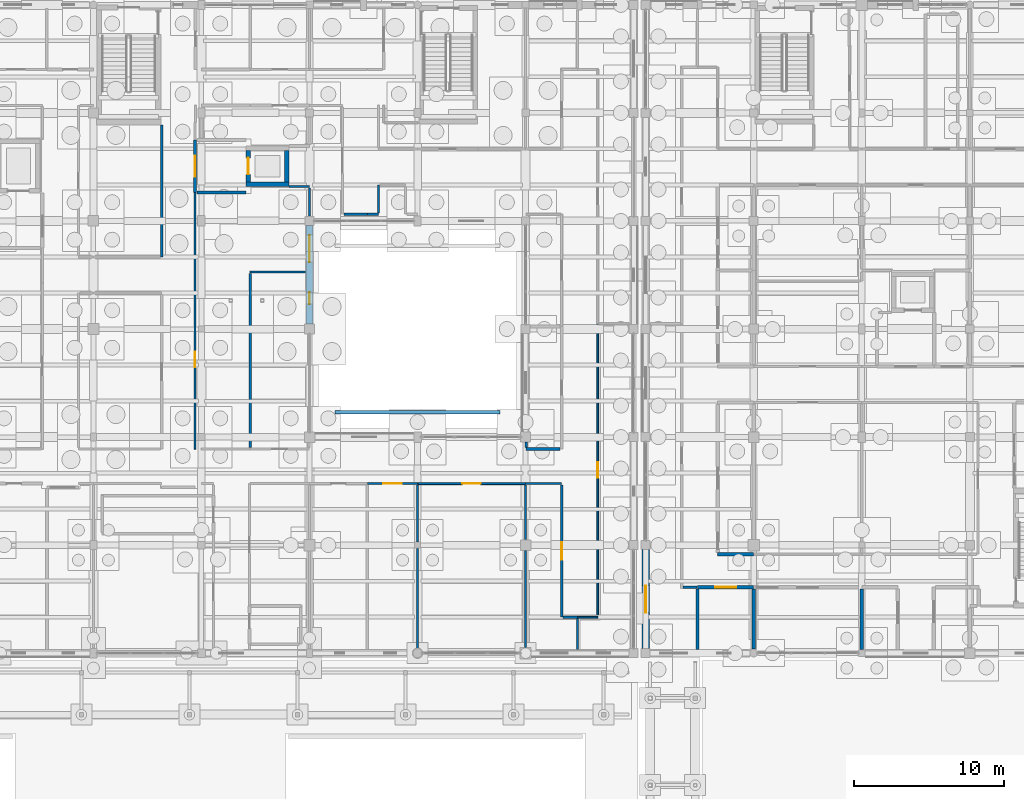
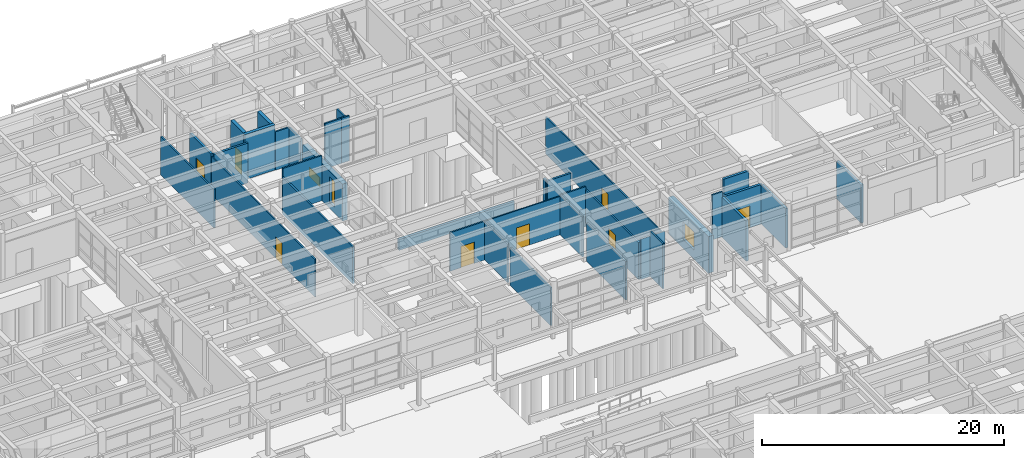
# One storey, part 112 of 143: 37 walls, 8 doors, 3 windows, 11 openings.
"""IFC4 building model written with IfcOpenShell, lengths in metres."""

from ifc_helpers import new_model, si_unit, direction, frame, frame_2d, origin, place, context, subcontext, project, spatial, rectangle, extrude, material, layer, layer_set, type_object, element, fill, save


model = new_model("IFC4")

# Units and contexts
model_context = context("Model", 3, precision=1e-05, world=origin(), true_north=direction((0.0, 1.0)))
body_context = subcontext(model_context, "Body", "Model", "MODEL_VIEW")
ifc_project = project(units=[si_unit("LENGTHUNIT", "METRE"), si_unit("AREAUNIT", "SQUARE_METRE"), si_unit("VOLUMEUNIT", "CUBIC_METRE"), si_unit("PLANEANGLEUNIT", "RADIAN"), si_unit("MASSUNIT", "GRAM", prefix="KILO")], contexts=[model_context])

# Site, building, storey
site_placement = place(None, origin())
site = spatial("IfcSite", under=ifc_project, at=site_placement, CompositionType="ELEMENT")
building_placement = place(site_placement, origin())
building = spatial("IfcBuilding", under=site, at=building_placement, Name="Steenspoor Specialist Clinic", CompositionType="ELEMENT")
storey_placement = place(building_placement, origin())
storey = spatial("IfcBuildingStorey", under=building, at=storey_placement, Name="L00", CompositionType="ELEMENT", Elevation=0.0)

# Wall, openings, windows
ifc_material_1 = material(Name="Volcanic basalt ashlar masonry", Category="masonry")
ifc_layer_1 = layer(ifc_material_1, 0.47998046875)
ifc_layer_set_1 = layer_set([ifc_layer_1], Name="Volcanic basalt ashlar masonry")
wall_type_1 = type_object("IfcWallType", Name="W-BASALT-480", PredefinedType="SOLIDWALL", material=ifc_layer_set_1)
wall_1_placement = place(storey_placement, frame((95.60009765625, 93.64990234375, 0.0), z_axis=(0.0, 0.0, 1.0), x_axis=(0.0, -1.0, 0.0)))
wall_1 = element("IfcWall", 1, at=wall_1_placement, inside=storey, type_object=wall_type_1, Name="Exterior Brick Wall EW-V4-L00-0107", PredefinedType="SOLIDWALL", context=body_context, shape_type="SweptSolid", body=[
    extrude(rectangle(XDim=6.574951171875, YDim=0.47998046875, at=frame_2d((3.28759765625, 0.0))), origin(), (0.0, 0.0, 1.0), 3.72998046875),
])
opening_1_placement = place(wall_1_placement, frame((0.639892578125, 0.0, 0.89990234375)))
opening_1 = element("IfcOpeningElement", 2, at=opening_1_placement, cuts=wall_1, Name="Opening WN-22", PredefinedType="OPENING", context=body_context, shape_type="SweptSolid", body=[
    extrude(rectangle(XDim=1.800048828125, YDim=0.89990234375, at=frame_2d((0.89990234375, 0.449951171875))), frame((0.0, 0.25, 0.0), z_axis=(0.0, -1.0, 0.0), x_axis=(1.0, 0.0, 0.0)), (0.0, 0.0, 1.0), 0.5),
])
opening_2_placement = place(wall_1_placement, frame((4.447509765625, 0.0, 0.60009765625)))
opening_2 = element("IfcOpeningElement", 3, at=opening_2_placement, cuts=wall_1, Name="Opening WN-24", PredefinedType="OPENING", context=body_context, shape_type="SweptSolid", body=[
    extrude(rectangle(XDim=0.800048828125, YDim=2.60009765625, at=frame_2d((0.39990234375, 1.300048828125))), frame((0.0, 0.25, 0.0), z_axis=(0.0, -1.0, 0.0), x_axis=(1.0, 0.0, 0.0)), (0.0, 0.0, 1.0), 0.5),
])
ifc_material_2 = material(Name="Thermally broken aluminium and low-emissivity glass", Category="aluminium")
window_type_1 = type_object("IfcWindowType", Name="WN-EXT-080X260", PartitioningType="SINGLE_PANEL", PredefinedType="WINDOW", material=ifc_material_2)
window_1_placement = place(opening_2_placement, origin())
window_1 = element("IfcWindow", 4, at=window_1_placement, inside=storey, type_object=window_type_1, Name="Window 0128", OverallHeight=2.60009765625, OverallWidth=0.800048828125, PartitioningType="SINGLE_PANEL", PredefinedType="WINDOW", context=body_context, shape_type="SweptSolid", body=[
    extrude(rectangle(XDim=0.800048828125, YDim=2.60009765625, at=frame_2d((0.39990234375, 1.300048828125))), frame((0.0, 0.030029296875, 0.0), z_axis=(0.0, -1.0, 0.0), x_axis=(1.0, 0.0, 0.0)), (0.0, 0.0, 1.0), 0.06005859375),
])
fill(opening_2, window_1)
window_type_2 = type_object("IfcWindowType", Name="WN-EXT-180X090", PartitioningType="SINGLE_PANEL", PredefinedType="WINDOW", material=ifc_material_2)
window_2_placement = place(opening_1_placement, origin())
window_2 = element("IfcWindow", 5, at=window_2_placement, inside=storey, type_object=window_type_2, Name="Window 0127", OverallHeight=0.89990234375, OverallWidth=1.800048828125, PartitioningType="SINGLE_PANEL", PredefinedType="WINDOW", context=body_context, shape_type="SweptSolid", body=[
    extrude(rectangle(XDim=1.800048828125, YDim=0.89990234375, at=frame_2d((0.89990234375, 0.449951171875))), frame((0.0, 0.030029296875, 0.0), z_axis=(0.0, -1.0, 0.0), x_axis=(1.0, 0.0, 0.0)), (0.0, 0.0, 1.0), 0.06005859375),
])
fill(opening_1, window_2)

# Wall, opening, window
wall_2_placement = place(storey_placement, frame((118.0, 65.449951171875, 0.0), z_axis=(0.0, 0.0, 1.0), x_axis=(0.0, 1.0, 0.0)))
wall_2 = element("IfcWall", 6, at=wall_2_placement, inside=storey, type_object=wall_type_1, Name="Exterior Brick Wall EW-V6-L00-0299", PredefinedType="SOLIDWALL", context=body_context, shape_type="SweptSolid", body=[
    extrude(rectangle(XDim=6.60009765625, YDim=0.47998046875, at=frame_2d((3.300048828125, 0.0))), origin(), (0.0, 0.0, 1.0), 3.699951171875),
])
opening_3_placement = place(wall_2_placement, frame((2.39990234375, 0.0, 0.89990234375)))
opening_3 = element("IfcOpeningElement", 7, at=opening_3_placement, cuts=wall_2, Name="Opening WN-08", PredefinedType="OPENING", context=body_context, shape_type="SweptSolid", body=[
    extrude(rectangle(XDim=1.800048828125, YDim=1.800048828125, at=frame_2d((0.89990234375, 0.89990234375))), frame((0.0, 0.25, 0.0), z_axis=(0.0, -1.0, 0.0), x_axis=(1.0, 0.0, 0.0)), (0.0, 0.0, 1.0), 0.5),
])
window_type_3 = type_object("IfcWindowType", Name="WN-EXT-180X180", PartitioningType="SINGLE_PANEL", PredefinedType="WINDOW", material=ifc_material_2)
window_3_placement = place(opening_3_placement, origin())
window_3 = element("IfcWindow", 8, at=window_3_placement, inside=storey, type_object=window_type_3, Name="Window 0320", OverallHeight=1.800048828125, OverallWidth=1.800048828125, PartitioningType="SINGLE_PANEL", PredefinedType="WINDOW", context=body_context, shape_type="SweptSolid", body=[
    extrude(rectangle(XDim=1.800048828125, YDim=1.800048828125, at=frame_2d((0.89990234375, 0.89990234375))), frame((0.0, 0.030029296875, 0.0), z_axis=(0.0, -1.0, 0.0), x_axis=(1.0, 0.0, 0.0)), (0.0, 0.0, 1.0), 0.06005859375),
])
fill(opening_3, window_3)

# Wall, opening, door
ifc_material_3 = material(Name="Gypsum acoustic clinical partition", Category="gypsum")
ifc_layer_2 = layer(ifc_material_3, 0.14990234375)
ifc_layer_set_2 = layer_set([ifc_layer_2], Name="Gypsum acoustic clinical partition")
wall_type_2 = type_object("IfcWallType", Name="W-CLIN-150", PredefinedType="PARTITIONING", material=ifc_layer_set_2)
wall_3_placement = place(storey_placement, frame((99.449951171875, 76.449951171875, 0.0), z_axis=(0.0, 0.0, 1.0), x_axis=(1.0, 0.0, 0.0)))
wall_3 = element("IfcWall", 9, at=wall_3_placement, inside=storey, type_object=wall_type_2, Name="Interior Partition IW-V4-L00-0227", PredefinedType="PARTITIONING", context=body_context, shape_type="SweptSolid", body=[
    extrude(rectangle(XDim=3.35009765625, YDim=0.14990234375, at=frame_2d((1.675048828125, 0.0))), origin(), (0.0, 0.0, 1.0), 3.885009765625),
])
opening_4_placement = place(wall_3_placement, frame((1.050048828125, 0.0, 0.0)))
opening_4 = element("IfcOpeningElement", 10, at=opening_4_placement, cuts=wall_3, Name="Opening D0157", PredefinedType="OPENING", context=body_context, shape_type="SweptSolid", body=[
    extrude(rectangle(XDim=1.25, YDim=2.14990234375, at=frame_2d((0.625, 1.074951171875))), frame((0.0, 0.0849609375, 0.0), z_axis=(0.0, -1.0, 0.0), x_axis=(1.0, 0.0, 0.0)), (0.0, 0.0, 1.0), 0.169921875),
])
ifc_material_4 = material(Name="Hygienic HPL clinical timber door", Category="wood")
door_type_1 = type_object("IfcDoorType", Name="DT-EXAM-125X215", OperationType="NOTDEFINED", PredefinedType="DOOR", material=ifc_material_4)
door_1_placement = place(opening_4_placement, origin())
door_1 = element("IfcDoor", 11, at=door_1_placement, inside=storey, type_object=door_type_1, Name="Clinical Door D0157", OperationType="SINGLE_SWING_RIGHT", OverallHeight=2.14990234375, OverallWidth=1.25, PredefinedType="DOOR", context=body_context, shape_type="SweptSolid", body=[
    extrude(rectangle(XDim=1.25, YDim=2.14990234375, at=frame_2d((0.625, 1.074951171875))), frame((0.0, 0.02490234375, 0.0), z_axis=(0.0, -1.0, 0.0), x_axis=(1.0, 0.0, 0.0)), (0.0, 0.0, 1.0), 0.050048828125),
])
fill(opening_4, door_1)

# Wall
wall_4_placement = place(storey_placement, frame((110.0, 76.449951171875, 0.0), z_axis=(0.0, 0.0, 1.0), x_axis=(1.0, 0.0, 0.0)))
element("IfcWall", 12, at=wall_4_placement, inside=storey, type_object=wall_type_2, Name="Interior Partition IW-V4-L00-0228", PredefinedType="PARTITIONING", context=body_context, shape_type="SweptSolid", body=[
    extrude(rectangle(XDim=2.39990234375, YDim=0.14990234375, at=frame_2d((1.199951171875, 0.0))), origin(), (0.0, 0.0, 1.0), 4.014892578125),
])

# Wall, opening, door
wall_5_placement = place(storey_placement, frame((112.39990234375, 67.550048828125, 0.0), z_axis=(0.0, 0.0, 1.0), x_axis=(0.0, 1.0, 0.0)))
wall_5 = element("IfcWall", 13, at=wall_5_placement, inside=storey, type_object=wall_type_2, Name="Interior Partition IW-V4-L00-0229", PredefinedType="PARTITIONING", context=body_context, shape_type="SweptSolid", body=[
    extrude(rectangle(XDim=8.81005859375, YDim=0.14990234375, at=frame_2d((4.405029296875, 0.0))), origin(), (0.0, 0.0, 1.0), 3.735107421875),
])
opening_5_placement = place(wall_5_placement, frame((3.830078125, 0.0, 0.0)))
opening_5 = element("IfcOpeningElement", 14, at=opening_5_placement, cuts=wall_5, Name="Opening D0159", PredefinedType="OPENING", context=body_context, shape_type="SweptSolid", body=[
    extrude(rectangle(XDim=1.14990234375, YDim=2.14990234375, at=frame_2d((0.574951171875, 1.074951171875))), frame((0.0, 0.0849609375, 0.0), z_axis=(0.0, -1.0, 0.0), x_axis=(1.0, 0.0, 0.0)), (0.0, 0.0, 1.0), 0.169921875),
])
ifc_material_5 = material(Name="Solid-core hardwood clinical door", Category="wood")
door_type_2 = type_object("IfcDoorType", Name="DT-CONS-115X215", OperationType="NOTDEFINED", PredefinedType="DOOR", material=ifc_material_5)
door_2_placement = place(opening_5_placement, origin())
door_2 = element("IfcDoor", 15, at=door_2_placement, inside=storey, type_object=door_type_2, Name="Clinical Door D0159", OperationType="SINGLE_SWING_RIGHT", OverallHeight=2.14990234375, OverallWidth=1.14990234375, PredefinedType="DOOR", context=body_context, shape_type="SweptSolid", body=[
    extrude(rectangle(XDim=1.14990234375, YDim=2.14990234375, at=frame_2d((0.574951171875, 1.074951171875))), frame((0.0, 0.02490234375, 0.0), z_axis=(0.0, -1.0, 0.0), x_axis=(1.0, 0.0, 0.0)), (0.0, 0.0, 1.0), 0.050048828125),
])
fill(opening_5, door_2)

# Walls
wall_6_placement = place(storey_placement, frame((112.489990234375, 67.550048828125, 0.0), z_axis=(0.0, 0.0, 1.0), x_axis=(1.0, 0.0, 0.0)))
element("IfcWall", 16, at=wall_6_placement, inside=storey, type_object=wall_type_2, Name="Interior Partition IW-V4-L00-0230", PredefinedType="PARTITIONING", context=body_context, shape_type="SweptSolid", body=[
    extrude(rectangle(XDim=0.9599609375, YDim=0.14990234375, at=frame_2d((0.47998046875, 0.0))), origin(), (0.0, 0.0, 1.0), 4.074951171875),
])
wall_7_placement = place(storey_placement, frame((85.75, 91.550048828125, 0.0), z_axis=(0.0, 0.0, 1.0), x_axis=(0.0, 1.0, 0.0)))
element("IfcWall", 17, at=wall_7_placement, inside=storey, type_object=wall_type_2, Name="Interior Partition IW-V4-L00-0250", PredefinedType="PARTITIONING", context=body_context, shape_type="SweptSolid", body=[
    extrude(rectangle(XDim=8.800048828125, YDim=0.14990234375, at=frame_2d((4.39990234375, 0.0))), origin(), (0.0, 0.0, 1.0), 3.885009765625),
])
wall_8_placement = place(storey_placement, frame((97.889892578125, 94.39990234375, 0.0), z_axis=(0.0, 0.0, 1.0), x_axis=(1.0, 0.0, 0.0)))
element("IfcWall", 18, at=wall_8_placement, inside=storey, type_object=wall_type_2, Name="Interior Partition IW-V4-L00-0257", PredefinedType="PARTITIONING", context=body_context, shape_type="SweptSolid", body=[
    extrude(rectangle(XDim=1.56005859375, YDim=0.14990234375, at=frame_2d((0.780029296875, 0.0))), origin(), (0.0, 0.0, 1.0), 4.550048828125),
])
wall_9_placement = place(storey_placement, frame((99.465087890625, 94.39990234375, 0.0), z_axis=(0.0, 0.0, 1.0), x_axis=(1.0, 0.0, 0.0)))
element("IfcWall", 19, at=wall_9_placement, inside=storey, type_object=wall_type_2, Name="Interior Partition IW-V4-L00-0258", PredefinedType="PARTITIONING", context=body_context, shape_type="SweptSolid", body=[
    extrude(rectangle(XDim=0.73486328125, YDim=0.14990234375, at=frame_2d((0.367431640625, 0.0))), origin(), (0.0, 0.0, 1.0), 4.550048828125),
])
wall_10_placement = place(storey_placement, frame((100.199951171875, 94.489990234375, 0.0), z_axis=(0.0, 0.0, 1.0), x_axis=(0.0, 1.0, 0.0)))
element("IfcWall", 20, at=wall_10_placement, inside=storey, type_object=wall_type_2, Name="Interior Partition IW-V4-L00-0259", PredefinedType="PARTITIONING", context=body_context, shape_type="SweptSolid", body=[
    extrude(rectangle(XDim=1.860107421875, YDim=0.14990234375, at=frame_2d((0.93017578125, 0.0))), origin(), (0.0, 0.0, 1.0), 4.074951171875),
])
wall_11_placement = place(storey_placement, frame((120.489990234375, 69.550048828125, 0.0), z_axis=(0.0, 0.0, 1.0), x_axis=(1.0, 0.0, 0.0)))
element("IfcWall", 21, at=wall_11_placement, inside=storey, type_object=wall_type_2, Name="Interior Partition IW-V6-L00-0277", PredefinedType="PARTITIONING", context=body_context, shape_type="SweptSolid", body=[
    extrude(rectangle(XDim=0.945068359375, YDim=0.14990234375, at=frame_2d((0.47265625, 0.0))), origin(), (0.0, 0.0, 1.0), 4.52001953125),
])
wall_12_placement = place(storey_placement, frame((102.800048828125, 65.465087890625, 0.0), z_axis=(0.0, 0.0, 1.0), x_axis=(0.0, 1.0, 0.0)))
element("IfcWall", 22, at=wall_12_placement, inside=storey, type_object=wall_type_2, Name="Interior Partition IW-V4-L00-0612", PredefinedType="PARTITIONING", context=body_context, shape_type="SweptSolid", body=[
    extrude(rectangle(XDim=6.669921875, YDim=0.14990234375, at=frame_2d((3.3349609375, 0.0))), origin(), (0.0, 0.0, 1.0), 3.81494140625),
])
wall_13_placement = place(storey_placement, frame((102.800048828125, 72.56494140625, 0.0), z_axis=(0.0, 0.0, 1.0), x_axis=(0.0, 1.0, 0.0)))
element("IfcWall", 23, at=wall_13_placement, inside=storey, type_object=wall_type_2, Name="Interior Partition IW-V4-L00-0613", PredefinedType="PARTITIONING", context=body_context, shape_type="SweptSolid", body=[
    extrude(rectangle(XDim=3.795166015625, YDim=0.14990234375, at=frame_2d((1.8974609375, 0.0))), origin(), (0.0, 0.0, 1.0), 3.885009765625),
])
wall_14_placement = place(storey_placement, frame((110.0, 65.5400390625, 0.0), z_axis=(0.0, 0.0, 1.0), x_axis=(0.0, 1.0, 0.0)))
element("IfcWall", 24, at=wall_14_placement, inside=storey, type_object=wall_type_2, Name="Interior Partition IW-V4-L00-0614", PredefinedType="PARTITIONING", context=body_context, shape_type="SweptSolid", body=[
    extrude(rectangle(XDim=6.445068359375, YDim=0.14990234375, at=frame_2d((3.22265625, 0.0))), origin(), (0.0, 0.0, 1.0), 3.885009765625),
])
wall_15_placement = place(storey_placement, frame((110.0, 72.715087890625, 0.0), z_axis=(0.0, 0.0, 1.0), x_axis=(0.0, 1.0, 0.0)))
element("IfcWall", 25, at=wall_15_placement, inside=storey, type_object=wall_type_2, Name="Interior Partition IW-V4-L00-0615", PredefinedType="PARTITIONING", context=body_context, shape_type="SweptSolid", body=[
    extrude(rectangle(XDim=3.64501953125, YDim=0.14990234375, at=frame_2d((1.822509765625, 0.0))), origin(), (0.0, 0.0, 1.0), 4.014892578125),
])
wall_16_placement = place(storey_placement, frame((113.449951171875, 65.405029296875, 0.0), z_axis=(0.0, 0.0, 1.0), x_axis=(0.0, 1.0, 0.0)))
element("IfcWall", 26, at=wall_16_placement, inside=storey, type_object=wall_type_2, Name="Interior Partition IW-V4-L00-0616", PredefinedType="PARTITIONING", context=body_context, shape_type="SweptSolid", body=[
    extrude(rectangle(XDim=2.054931640625, YDim=0.14990234375, at=frame_2d((1.02734375, 0.0))), origin(), (0.0, 0.0, 1.0), 4.550048828125),
])
wall_17_placement = place(storey_placement, frame((94.239990234375, 96.25, 0.0), z_axis=(0.0, 0.0, 1.0), x_axis=(1.0, 0.0, 0.0)))
element("IfcWall", 27, at=wall_17_placement, inside=storey, type_object=wall_type_2, Name="Interior Partition IW-V4-L00-0621", PredefinedType="PARTITIONING", context=body_context, shape_type="SweptSolid", body=[
    extrude(rectangle(XDim=1.360107421875, YDim=0.14990234375, at=frame_2d((0.68017578125, 0.0))), origin(), (0.0, 0.0, 1.0), 3.885009765625),
])
wall_18_placement = place(storey_placement, frame((95.60009765625, 94.264892578125, 0.0), z_axis=(0.0, 0.0, 1.0), x_axis=(0.0, 1.0, 0.0)))
element("IfcWall", 28, at=wall_18_placement, inside=storey, type_object=wall_type_2, Name="Interior Partition IW-V4-L00-0622", PredefinedType="PARTITIONING", context=body_context, shape_type="SweptSolid", body=[
    extrude(rectangle(XDim=1.89501953125, YDim=0.14990234375, at=frame_2d((0.947509765625, 0.0))), origin(), (0.0, 0.0, 1.0), 3.885009765625),
])
wall_19_placement = place(storey_placement, frame((91.64990234375, 90.550048828125, 0.0), z_axis=(0.0, 0.0, 1.0), x_axis=(1.0, 0.0, 0.0)))
element("IfcWall", 29, at=wall_19_placement, inside=storey, type_object=wall_type_2, Name="Interior Partition IW-V4-L00-0623", PredefinedType="PARTITIONING", context=body_context, shape_type="SweptSolid", body=[
    extrude(rectangle(XDim=3.695068359375, YDim=0.14990234375, at=frame_2d((1.84765625, 0.0))), origin(), (0.0, 0.0, 1.0), 4.550048828125),
])
wall_20_placement = place(storey_placement, frame((91.64990234375, 78.840087890625, 0.0), z_axis=(0.0, 0.0, 1.0), x_axis=(0.0, 1.0, 0.0)))
element("IfcWall", 30, at=wall_20_placement, inside=storey, type_object=wall_type_2, Name="Interior Partition IW-V4-L00-0624", PredefinedType="PARTITIONING", context=body_context, shape_type="SweptSolid", body=[
    extrude(rectangle(XDim=11.619873046875, YDim=0.14990234375, at=frame_2d((5.81005859375, 0.0))), origin(), (0.0, 0.0, 1.0), 3.735107421875),
])

# Wall, opening, door
ifc_material_6 = material(Name="Fire-rated clay blockwork masonry", Category="masonry")
ifc_layer_3 = layer(ifc_material_6, 0.219970703125)
ifc_layer_set_3 = layer_set([ifc_layer_3], Name="Fire-rated clay blockwork masonry")
wall_type_3 = type_object("IfcWallType", Name="W-FIRE-220", PredefinedType="PARTITIONING", material=ifc_layer_set_3)
wall_21_placement = place(storey_placement, frame((121.449951171875, 69.550048828125, 0.0), z_axis=(0.0, 0.0, 1.0), x_axis=(1.0, 0.0, 0.0)))
wall_21 = element("IfcWall", 31, at=wall_21_placement, inside=storey, type_object=wall_type_3, Name="Interior Partition IW-V6-L00-0091", PredefinedType="PARTITIONING", context=body_context, shape_type="SweptSolid", body=[
    extrude(rectangle(XDim=3.75, YDim=0.219970703125, at=frame_2d((1.875, 0.0))), origin(), (0.0, 0.0, 1.0), 3.985107421875),
])
opening_6_placement = place(wall_21_placement, frame((1.175048828125, 0.0, 0.0)))
opening_6 = element("IfcOpeningElement", 32, at=opening_6_placement, cuts=wall_21, Name="Opening D0401", PredefinedType="OPENING", context=body_context, shape_type="SweptSolid", body=[
    extrude(rectangle(XDim=1.39990234375, YDim=2.199951171875, at=frame_2d((0.699951171875, 1.10009765625))), frame((0.0, 0.1201171875, 0.0), z_axis=(0.0, -1.0, 0.0), x_axis=(1.0, 0.0, 0.0)), (0.0, 0.0, 1.0), 0.239990234375),
])
ifc_material_7 = material(Name="Fire-rated clinical laminate door", Category="steel")
door_type_3 = type_object("IfcDoorType", Name="DT-LAB-140X220", OperationType="NOTDEFINED", PredefinedType="DOOR", material=ifc_material_7)
door_3_placement = place(opening_6_placement, origin())
door_3 = element("IfcDoor", 33, at=door_3_placement, inside=storey, type_object=door_type_3, Name="Clinical Door D0401", OperationType="SINGLE_SWING_RIGHT", OverallHeight=2.199951171875, OverallWidth=1.39990234375, PredefinedType="DOOR", context=body_context, shape_type="SweptSolid", body=[
    extrude(rectangle(XDim=1.39990234375, YDim=2.199951171875, at=frame_2d((0.699951171875, 1.10009765625))), frame((0.0, 0.02490234375, 0.0), z_axis=(0.0, -1.0, 0.0), x_axis=(1.0, 0.0, 0.0)), (0.0, 0.0, 1.0), 0.050048828125),
])
fill(opening_6, door_3)

# Walls
wall_22_placement = place(storey_placement, frame((122.800048828125, 71.75, 0.0), z_axis=(0.0, 0.0, 1.0), x_axis=(1.0, 0.0, 0.0)))
element("IfcWall", 34, at=wall_22_placement, inside=storey, type_object=wall_type_3, Name="Interior Partition IW-V6-L00-0101", PredefinedType="PARTITIONING", context=body_context, shape_type="SweptSolid", body=[
    extrude(rectangle(XDim=2.39990234375, YDim=0.219970703125, at=frame_2d((1.199951171875, 0.0))), origin(), (0.0, 0.0, 1.0), 3.985107421875),
])
wall_23_placement = place(storey_placement, frame((121.449951171875, 65.405029296875, 0.0), z_axis=(0.0, 0.0, 1.0), x_axis=(0.0, 1.0, 0.0)))
element("IfcWall", 35, at=wall_23_placement, inside=storey, type_object=wall_type_3, Name="Interior Partition IW-V6-L00-0458", PredefinedType="PARTITIONING", context=body_context, shape_type="SweptSolid", body=[
    extrude(rectangle(XDim=4.02001953125, YDim=0.219970703125, at=frame_2d((2.010009765625, 0.0))), origin(), (0.0, 0.0, 1.0), 4.044921875),
])
wall_24_placement = place(storey_placement, frame((125.199951171875, 65.4150390625, 0.0), z_axis=(0.0, 0.0, 1.0), x_axis=(0.0, 1.0, 0.0)))
element("IfcWall", 36, at=wall_24_placement, inside=storey, type_object=wall_type_3, Name="Interior Partition IW-V6-L00-0459", PredefinedType="PARTITIONING", context=body_context, shape_type="SweptSolid", body=[
    extrude(rectangle(XDim=4.010009765625, YDim=0.219970703125, at=frame_2d((2.0048828125, 0.0))), origin(), (0.0, 0.0, 1.0), 3.985107421875),
])
wall_25_placement = place(storey_placement, frame((132.39990234375, 65.389892578125, 0.0), z_axis=(0.0, 0.0, 1.0), x_axis=(0.0, 1.0, 0.0)))
element("IfcWall", 37, at=wall_25_placement, inside=storey, type_object=wall_type_3, Name="Interior Partition IW-V6-L00-0460", PredefinedType="PARTITIONING", context=body_context, shape_type="SweptSolid", body=[
    extrude(rectangle(XDim=4.03515625, YDim=0.219970703125, at=frame_2d((2.017578125, 0.0))), origin(), (0.0, 0.0, 1.0), 3.85498046875),
])
ifc_material_8 = material(Name="Extruded clay brick masonry", Category="masonry")
ifc_layer_4 = layer(ifc_material_8, 0.239990234375)
ifc_layer_set_4 = layer_set([ifc_layer_4], Name="Extruded clay brick masonry")
wall_type_4 = type_object("IfcWallType", Name="W-PARAPET-240", PredefinedType="PARAPET", material=ifc_layer_set_4)
wall_26_placement = place(storey_placement, frame((97.300048828125, 81.199951171875, 0.0), z_axis=(0.0, 0.0, 1.0), x_axis=(1.0, 0.0, 0.0)))
element("IfcWall", 38, at=wall_26_placement, inside=storey, type_object=wall_type_4, Name="Courtyard Planter Parapet PW-GARDEN-03", PredefinedType="PARAPET", context=body_context, shape_type="SweptSolid", body=[
    extrude(rectangle(XDim=11.0, YDim=0.239990234375, at=frame_2d((5.5, 0.0))), origin(), (0.0, 0.0, 1.0), 1.10009765625),
])

# Wall, opening, door
ifc_material_9 = material(Name="Gypsum studio partition board", Category="gypsum")
ifc_layer_5 = layer(ifc_material_9, 0.1201171875)
ifc_layer_set_5 = layer_set([ifc_layer_5], Name="Gypsum studio partition board")
wall_type_5 = type_object("IfcWallType", Name="W-PART-120", PredefinedType="PARTITIONING", material=ifc_layer_set_5)
wall_27_placement = place(storey_placement, frame((102.81494140625, 76.449951171875, 0.0), z_axis=(0.0, 0.0, 1.0), x_axis=(1.0, 0.0, 0.0)))
wall_27 = element("IfcWall", 39, at=wall_27_placement, inside=storey, type_object=wall_type_5, Name="Interior Partition IW-V4-L00-0331", PredefinedType="PARTITIONING", context=body_context, shape_type="SweptSolid", body=[
    extrude(rectangle(XDim=7.170166015625, YDim=0.1201171875, at=frame_2d((3.5849609375, 0.0))), origin(), (0.0, 0.0, 1.0), 3.885009765625),
])
opening_7_placement = place(wall_27_placement, frame((2.9599609375, 0.0, 0.0)))
opening_7 = element("IfcOpeningElement", 40, at=opening_7_placement, cuts=wall_27, Name="Opening D0158", PredefinedType="OPENING", context=body_context, shape_type="SweptSolid", body=[
    extrude(rectangle(XDim=1.25, YDim=2.14990234375, at=frame_2d((0.625, 1.074951171875))), frame((0.0, 0.070068359375, 0.0), z_axis=(0.0, -1.0, 0.0), x_axis=(1.0, 0.0, 0.0)), (0.0, 0.0, 1.0), 0.14013671875),
])
door_4_placement = place(opening_7_placement, origin())
door_4 = element("IfcDoor", 41, at=door_4_placement, inside=storey, type_object=door_type_1, Name="Clinical Door D0158", OperationType="SINGLE_SWING_LEFT", OverallHeight=2.14990234375, OverallWidth=1.25, PredefinedType="DOOR", context=body_context, shape_type="SweptSolid", body=[
    extrude(rectangle(XDim=1.25, YDim=2.14990234375, at=frame_2d((0.625, 1.074951171875))), frame((0.0, 0.02490234375, 0.0), z_axis=(0.0, -1.0, 0.0), x_axis=(1.0, 0.0, 0.0)), (0.0, 0.0, 1.0), 0.050048828125),
])
fill(opening_7, door_4)

# Wall
wall_28_placement = place(storey_placement, frame((113.465087890625, 67.550048828125, 0.0), z_axis=(0.0, 0.0, 1.0), x_axis=(1.0, 0.0, 0.0)))
element("IfcWall", 42, at=wall_28_placement, inside=storey, type_object=wall_type_5, Name="Interior Partition IW-V4-L00-0332", PredefinedType="PARTITIONING", context=body_context, shape_type="SweptSolid", body=[
    extrude(rectangle(XDim=1.3349609375, YDim=0.1201171875, at=frame_2d((0.66748046875, 0.0))), origin(), (0.0, 0.0, 1.0), 4.074951171875),
])

# Wall, opening, door
wall_29_placement = place(storey_placement, frame((114.800048828125, 67.625, 0.0), z_axis=(0.0, 0.0, 1.0), x_axis=(0.0, 1.0, 0.0)))
wall_29 = element("IfcWall", 43, at=wall_29_placement, inside=storey, type_object=wall_type_5, Name="Interior Partition IW-V4-L00-0333", PredefinedType="PARTITIONING", context=body_context, shape_type="SweptSolid", body=[
    extrude(rectangle(XDim=19.47509765625, YDim=0.1201171875, at=frame_2d((9.737548828125, 0.0))), origin(), (0.0, 0.0, 1.0), 3.735107421875),
])
opening_8_placement = place(wall_29_placement, frame((9.21240234375, 0.0, 0.0)))
opening_8 = element("IfcOpeningElement", 44, at=opening_8_placement, cuts=wall_29, Name="Opening D0160", PredefinedType="OPENING", context=body_context, shape_type="SweptSolid", body=[
    extrude(rectangle(XDim=1.050048828125, YDim=2.14990234375, at=frame_2d((0.52490234375, 1.074951171875))), frame((0.0, 0.070068359375, 0.0), z_axis=(0.0, -1.0, 0.0), x_axis=(1.0, 0.0, 0.0)), (0.0, 0.0, 1.0), 0.14013671875),
])
ifc_material_10 = material(Name="Solid-core hardwood office door", Category="wood")
door_type_4 = type_object("IfcDoorType", Name="DT-OFF-105X215", OperationType="NOTDEFINED", PredefinedType="DOOR", material=ifc_material_10)
door_5_placement = place(opening_8_placement, origin())
door_5 = element("IfcDoor", 45, at=door_5_placement, inside=storey, type_object=door_type_4, Name="Clinical Door D0160", OperationType="SINGLE_SWING_LEFT", OverallHeight=2.14990234375, OverallWidth=1.050048828125, PredefinedType="DOOR", context=body_context, shape_type="SweptSolid", body=[
    extrude(rectangle(XDim=1.050048828125, YDim=2.14990234375, at=frame_2d((0.52490234375, 1.074951171875))), frame((0.0, 0.02490234375, 0.0), z_axis=(0.0, -1.0, 0.0), x_axis=(1.0, 0.0, 0.0)), (0.0, 0.0, 1.0), 0.050048828125),
])
fill(opening_8, door_5)

wall_30_placement = place(storey_placement, frame((87.969970703125, 78.75, 0.0), z_axis=(0.0, 0.0, 1.0), x_axis=(0.0, 1.0, 0.0)))
wall_30 = element("IfcWall", 46, at=wall_30_placement, inside=storey, type_object=wall_type_5, Name="Interior Partition IW-V4-L00-0338", PredefinedType="PARTITIONING", context=body_context, shape_type="SweptSolid", body=[
    extrude(rectangle(XDim=17.0849609375, YDim=0.1201171875, at=frame_2d((8.54248046875, 0.0))), origin(), (0.0, 0.0, 1.0), 3.81494140625),
])
opening_9_placement = place(wall_30_placement, frame((5.451904296875, 0.0, 0.0)))
opening_9 = element("IfcOpeningElement", 47, at=opening_9_placement, cuts=wall_30, Name="Opening D0166", PredefinedType="OPENING", context=body_context, shape_type="SweptSolid", body=[
    extrude(rectangle(XDim=1.050048828125, YDim=2.14990234375, at=frame_2d((0.52490234375, 1.074951171875))), frame((0.0, 0.070068359375, 0.0), z_axis=(0.0, -1.0, 0.0), x_axis=(1.0, 0.0, 0.0)), (0.0, 0.0, 1.0), 0.14013671875),
])
door_6_placement = place(opening_9_placement, origin())
door_6 = element("IfcDoor", 48, at=door_6_placement, inside=storey, type_object=door_type_4, Name="Clinical Door D0166", OperationType="SINGLE_SWING_LEFT", OverallHeight=2.14990234375, OverallWidth=1.050048828125, PredefinedType="DOOR", context=body_context, shape_type="SweptSolid", body=[
    extrude(rectangle(XDim=1.050048828125, YDim=2.14990234375, at=frame_2d((0.52490234375, 1.074951171875))), frame((0.0, 0.02490234375, 0.0), z_axis=(0.0, -1.0, 0.0), x_axis=(1.0, 0.0, 0.0)), (0.0, 0.0, 1.0), 0.050048828125),
])
fill(opening_9, door_6)

# Walls
ifc_material_11 = material(Name="Moisture-resistant gypsum plumbing wall", Category="gypsum")
ifc_layer_6 = layer(ifc_material_11, 0.179931640625)
ifc_layer_set_6 = layer_set([ifc_layer_6], Name="Moisture-resistant gypsum plumbing wall")
wall_type_6 = type_object("IfcWallType", Name="W-PLUMB-180", PredefinedType="PLUMBINGWALL", material=ifc_layer_set_6)
wall_31_placement = place(storey_placement, frame((110.0400390625, 78.75, 0.0), z_axis=(0.0, 0.0, 1.0), x_axis=(1.0, 0.0, 0.0)))
element("IfcWall", 49, at=wall_31_placement, inside=storey, type_object=wall_type_6, Name="Interior Partition IW-V4-L00-0141", PredefinedType="PLUMBINGWALL", context=body_context, shape_type="SweptSolid", body=[
    extrude(rectangle(XDim=2.2548828125, YDim=0.179931640625, at=frame_2d((1.12744140625, 0.0))), origin(), (0.0, 0.0, 1.0), 4.014892578125),
])
wall_32_placement = place(storey_placement, frame((110.0400390625, 78.85498046875, 0.0), z_axis=(0.0, 0.0, 1.0), x_axis=(0.0, 1.0, 0.0)))
element("IfcWall", 50, at=wall_32_placement, inside=storey, type_object=wall_type_6, Name="Interior Partition IW-V4-L00-0522", PredefinedType="PLUMBINGWALL", context=body_context, shape_type="SweptSolid", body=[
    extrude(rectangle(XDim=0.35498046875, YDim=0.179931640625, at=frame_2d((0.177490234375, 0.0))), origin(), (0.0, 0.0, 1.0), 4.014892578125),
])

# Wall, opening, door
ifc_material_12 = material(Name="Gypsum acoustic smoke barrier board", Category="gypsum")
ifc_layer_7 = layer(ifc_material_12, 0.199951171875)
ifc_layer_set_7 = layer_set([ifc_layer_7], Name="Gypsum acoustic smoke barrier board")
wall_type_7 = type_object("IfcWallType", Name="W-SMOKE-200", PredefinedType="PARTITIONING", material=ifc_layer_set_7)
wall_33_placement = place(storey_placement, frame((87.97509765625, 95.85009765625, 0.0), z_axis=(0.0, 0.0, 1.0), x_axis=(0.0, 1.0, 0.0)))
wall_33 = element("IfcWall", 51, at=wall_33_placement, inside=storey, type_object=wall_type_7, Name="Interior Partition IW-V4-L00-0005", PredefinedType="PARTITIONING", context=body_context, shape_type="SweptSolid", body=[
    extrude(rectangle(XDim=3.5, YDim=0.199951171875, at=frame_2d((1.75, 0.0))), origin(), (0.0, 0.0, 1.0), 4.074951171875),
])
opening_10_placement = place(wall_33_placement, frame((1.050048828125, 0.0, 0.0)))
opening_10 = element("IfcOpeningElement", 52, at=opening_10_placement, cuts=wall_33, Name="Opening D0145", PredefinedType="OPENING", context=body_context, shape_type="SweptSolid", body=[
    extrude(rectangle(XDim=1.39990234375, YDim=2.199951171875, at=frame_2d((0.699951171875, 1.10009765625))), frame((0.0, 0.10986328125, 0.0), z_axis=(0.0, -1.0, 0.0), x_axis=(1.0, 0.0, 0.0)), (0.0, 0.0, 1.0), 0.219970703125),
])
door_7_placement = place(opening_10_placement, origin())
door_7 = element("IfcDoor", 53, at=door_7_placement, inside=storey, type_object=door_type_3, Name="Lift Lobby Fire Door D0145", OperationType="SINGLE_SWING_RIGHT", OverallHeight=2.199951171875, OverallWidth=1.39990234375, PredefinedType="DOOR", context=body_context, shape_type="SweptSolid", body=[
    extrude(rectangle(XDim=1.39990234375, YDim=2.199951171875, at=frame_2d((0.699951171875, 1.10009765625))), frame((0.0, 0.02490234375, 0.0), z_axis=(0.0, -1.0, 0.0), x_axis=(1.0, 0.0, 0.0)), (0.0, 0.0, 1.0), 0.050048828125),
])
fill(opening_10, door_7)

# Walls
wall_34_placement = place(storey_placement, frame((88.090087890625, 95.85009765625, 0.0), z_axis=(0.0, 0.0, 1.0), x_axis=(1.0, 0.0, 0.0)))
element("IfcWall", 54, at=wall_34_placement, inside=storey, type_object=wall_type_7, Name="Interior Partition IW-V4-L00-0026", PredefinedType="PARTITIONING", context=body_context, shape_type="SweptSolid", body=[
    extrude(rectangle(XDim=3.284912109375, YDim=0.199951171875, at=frame_2d((1.642578125, 0.0))), origin(), (0.0, 0.0, 1.0), 4.014892578125),
])
ifc_material_13 = material(Name="Concrete C40/50", Category="concrete")
ifc_layer_8 = layer(ifc_material_13, 0.300048828125)
ifc_layer_set_8 = layer_set([ifc_layer_8], Name="Concrete C40/50")
wall_type_8 = type_object("IfcWallType", Name="W-SW-300", PredefinedType="SHEAR", material=ifc_layer_set_8)
wall_35_placement = place(storey_placement, frame((91.375, 96.39990234375, 0.0), z_axis=(0.0, 0.0, 1.0), x_axis=(1.0, 0.0, 0.0)))
element("IfcWall", 55, at=wall_35_placement, inside=storey, type_object=wall_type_8, Name="Lift Shaft Shear Wall SW-EL-P1-L00-S", PredefinedType="SHEAR", context=body_context, shape_type="SweptSolid", body=[
    extrude(rectangle(XDim=2.85009765625, YDim=0.300048828125, at=frame_2d((1.425048828125, 0.0))), origin(), (0.0, 0.0, 1.0), 4.550048828125),
])

# Wall, opening, door
wall_36_placement = place(storey_placement, frame((91.52490234375, 96.550048828125, 0.0), z_axis=(0.0, 0.0, 1.0), x_axis=(0.0, 1.0, 0.0)))
wall_36 = element("IfcWall", 56, at=wall_36_placement, inside=storey, type_object=wall_type_8, Name="Lift Shaft Shear Wall SW-EL-P1-L00-W", PredefinedType="SHEAR", context=body_context, shape_type="SweptSolid", body=[
    extrude(rectangle(XDim=2.099853515625, YDim=0.300048828125, at=frame_2d((1.0498046875, 0.0))), origin(), (0.0, 0.0, 1.0), 4.550048828125),
])
opening_11_placement = place(wall_36_placement, frame((0.5, 0.0, 0.0)))
opening_11 = element("IfcOpeningElement", 57, at=opening_11_placement, cuts=wall_36, Name="Opening LD11", PredefinedType="OPENING", context=body_context, shape_type="SweptSolid", body=[
    extrude(rectangle(XDim=1.10009765625, YDim=2.14990234375, at=frame_2d((0.550048828125, 1.074951171875))), frame((0.0, 0.16015625, 0.0), z_axis=(0.0, -1.0, 0.0), x_axis=(1.0, 0.0, 0.0)), (0.0, 0.0, 1.0), 0.320068359375),
])
ifc_material_14 = material(Name="Stainless steel lift landing door", Category="steel")
door_type_5 = type_object("IfcDoorType", Name="DT-LIFT-P-110", OperationType="NOTDEFINED", PredefinedType="DOOR", material=ifc_material_14)
door_8_placement = place(opening_11_placement, origin())
door_8 = element("IfcDoor", 58, at=door_8_placement, inside=storey, type_object=door_type_5, Name="Lift Landing Door LD11", OperationType="SLIDING_TO_LEFT", OverallHeight=2.14990234375, OverallWidth=1.10009765625, PredefinedType="DOOR", context=body_context, shape_type="SweptSolid", body=[
    extrude(rectangle(XDim=1.10009765625, YDim=2.14990234375, at=frame_2d((0.550048828125, 1.074951171875))), frame((0.0, 0.02490234375, 0.0), z_axis=(0.0, -1.0, 0.0), x_axis=(1.0, 0.0, 0.0)), (0.0, 0.0, 1.0), 0.050048828125),
])
fill(opening_11, door_8)

# Wall
wall_37_placement = place(storey_placement, frame((94.074951171875, 96.550048828125, 0.0), z_axis=(0.0, 0.0, 1.0), x_axis=(0.0, 1.0, 0.0)))
element("IfcWall", 59, at=wall_37_placement, inside=storey, type_object=wall_type_8, Name="Lift Shaft Shear Wall SW-EL-P1-L00-E", PredefinedType="SHEAR", context=body_context, shape_type="SweptSolid", body=[
    extrude(rectangle(XDim=2.099853515625, YDim=0.300048828125, at=frame_2d((1.0498046875, 0.0))), origin(), (0.0, 0.0, 1.0), 4.550048828125),
])

save(model, "model.ifc")
